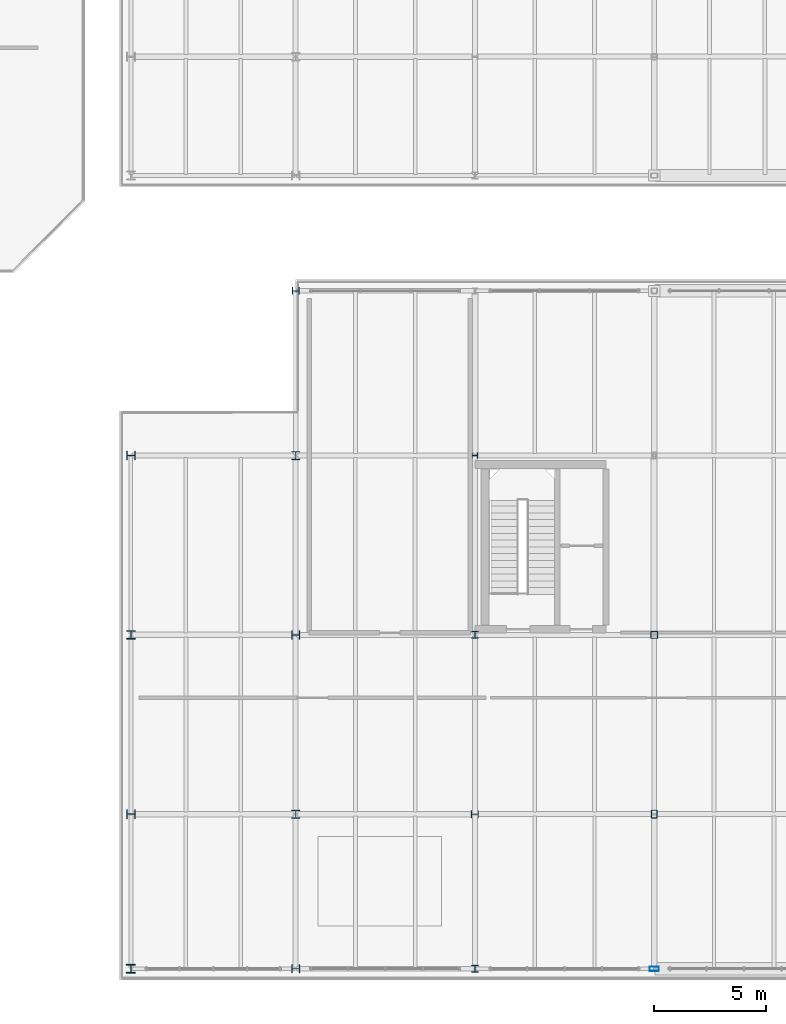
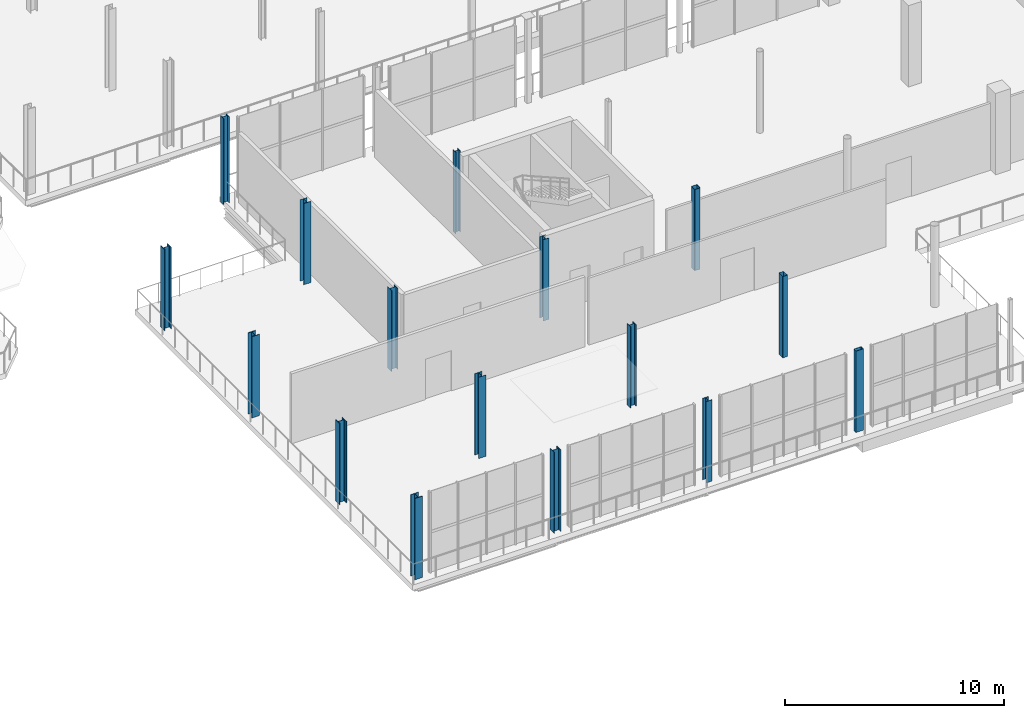
# One storey, part 11 of 93: 16 columns.
"""IFC4 building model written with IfcOpenShell, lengths in metres."""

from ifc_helpers import new_model, si_unit, direction, frame, origin, origin_2d, place, context, subcontext, project, spatial, hollow_rectangle, i_section, extrude, material, material_profile, profile_set, type_object, element, save


model = new_model("IFC4")

# Units and contexts
model_context = context("Model", 3, precision=1e-05, world=origin(), true_north=direction((0.0, 1.0)))
body_context = subcontext(model_context, "Body", "Model", "MODEL_VIEW")
ifc_project = project(units=[si_unit("LENGTHUNIT", "METRE"), si_unit("AREAUNIT", "SQUARE_METRE"), si_unit("VOLUMEUNIT", "CUBIC_METRE"), si_unit("PLANEANGLEUNIT", "RADIAN"), si_unit("MASSUNIT", "GRAM", prefix="KILO")], contexts=[model_context])

# Site, building, storey
site_placement = place(None, origin())
site = spatial("IfcSite", under=ifc_project, at=site_placement, CompositionType="ELEMENT")
building_placement = place(site_placement, origin())
building = spatial("IfcBuilding", under=site, at=building_placement, Name="Brisemont Oceanarium", CompositionType="ELEMENT")
storey_placement = place(building_placement, frame((0.0, 0.0, 5.39990234375)))
storey = spatial("IfcBuildingStorey", under=building, at=storey_placement, Name="L01", CompositionType="ELEMENT", Elevation=5.39990234375)

# Columns
ifc_material_1 = material(Name="Structural Steel ASTM A500 Gr.C", Category="steel")
ifc_material_profile_1 = material_profile(ifc_material_1, hollow_rectangle(XDim=0.304931640625, YDim=0.304931640625, WallThickness=0.01171875, InnerFilletRadius=0.01220703125, OuterFilletRadius=0.02392578125, at=origin_2d()), Name="HSS12X12X1/2")
ifc_profile_set_1 = profile_set([ifc_material_profile_1], Name="Structural Steel ASTM A500 Gr.C")
column_type_1 = type_object("IfcColumnType", Name="COL-HSS12X12", PredefinedType="COLUMN", material=ifc_profile_set_1)
column_1_placement = place(storey_placement, frame((136.0, 16.0, 0.0), z_axis=(0.0, 0.0, 1.0), x_axis=(0.0, 1.0, 0.0)))
element("IfcColumn", 1, at=column_1_placement, inside=storey, type_object=column_type_1, Name="V3 L01 column (3,2)", PredefinedType="COLUMN", context=body_context, shape_type="SweptSolid", body=[
    extrude(hollow_rectangle(XDim=0.304931640625, YDim=0.304931640625, WallThickness=0.01171875, InnerFilletRadius=0.01220703125, OuterFilletRadius=0.02392578125, at=origin_2d()), origin(), (0.0, 0.0, 1.0), 4.5400390625),
])
ifc_material_2 = material(Name="Structural Steel ASTM A500 Gr.C", Category="steel")
ifc_material_profile_2 = material_profile(ifc_material_2, hollow_rectangle(XDim=0.25390625, YDim=0.35595703125, WallThickness=0.01171875, InnerFilletRadius=0.01220703125, OuterFilletRadius=0.02392578125, at=origin_2d()), Name="HSS14X10X1/2")
ifc_profile_set_2 = profile_set([ifc_material_profile_2], Name="Structural Steel ASTM A500 Gr.C")
column_type_2 = type_object("IfcColumnType", Name="COL-HSS14X10", PredefinedType="COLUMN", material=ifc_profile_set_2)
column_2_placement = place(storey_placement, frame((136.0, 8.0, 0.0), z_axis=(0.0, 0.0, 1.0), x_axis=(1.0, 0.0, 0.0)))
element("IfcColumn", 2, at=column_2_placement, inside=storey, type_object=column_type_2, Name="V3 L01 column (3,1)", PredefinedType="COLUMN", context=body_context, shape_type="SweptSolid", body=[
    extrude(hollow_rectangle(XDim=0.25390625, YDim=0.35595703125, WallThickness=0.01171875, InnerFilletRadius=0.01220703125, OuterFilletRadius=0.02392578125, at=origin_2d()), origin(), (0.0, 0.0, 1.0), 4.5400390625),
])
ifc_material_3 = material(Name="Structural Steel ASTM A500 Gr.C", Category="steel")
ifc_material_profile_3 = material_profile(ifc_material_3, hollow_rectangle(XDim=0.202880859375, YDim=0.406005859375, WallThickness=0.01171875, InnerFilletRadius=0.01220703125, OuterFilletRadius=0.02392578125, at=origin_2d()), Name="HSS16X8X1/2")
ifc_profile_set_3 = profile_set([ifc_material_profile_3], Name="Structural Steel ASTM A500 Gr.C")
column_type_3 = type_object("IfcColumnType", Name="COL-HSS16X8", PredefinedType="COLUMN", material=ifc_profile_set_3)
column_3_placement = place(storey_placement, frame((136.0, 1.10009765625, 0.0), z_axis=(0.0, 0.0, 1.0), x_axis=(0.0, 1.0, 0.0)))
element("IfcColumn", 3, at=column_3_placement, inside=storey, type_object=column_type_3, Name="V3 L01 column (3,0)", PredefinedType="COLUMN", context=body_context, shape_type="SweptSolid", body=[
    extrude(hollow_rectangle(XDim=0.202880859375, YDim=0.406005859375, WallThickness=0.01171875, InnerFilletRadius=0.01220703125, OuterFilletRadius=0.02392578125, at=origin_2d()), origin(), (0.0, 0.0, 1.0), 4.5400390625),
])
ifc_material_4 = material(Name="Structural Steel ASTM A992 Gr.50", Category="steel")
ifc_material_profile_4 = material_profile(ifc_material_4, i_section(OverallWidth=0.256103515625, OverallDepth=0.260009765625, WebThickness=0.0107421875, FlangeThickness=0.017333984375, FilletRadius=0.010986328125, at=origin_2d()), Name="W10X60")
ifc_profile_set_4 = profile_set([ifc_material_profile_4], Name="Structural Steel ASTM A992 Gr.50")
column_type_4 = type_object("IfcColumnType", Name="COL-W10X60", PredefinedType="COLUMN", material=ifc_profile_set_4)
column_4_placement = place(storey_placement, frame((128.0, 24.0, 0.0), z_axis=(0.0, 0.0, 1.0), x_axis=(0.0, 1.0, 0.0)))
element("IfcColumn", 4, at=column_4_placement, inside=storey, type_object=column_type_4, Name="V3 L01 column (2,3)", PredefinedType="COLUMN", context=body_context, shape_type="SweptSolid", body=[
    extrude(i_section(OverallWidth=0.256103515625, OverallDepth=0.260009765625, WebThickness=0.0107421875, FlangeThickness=0.017333984375, FilletRadius=0.010986328125, at=origin_2d()), origin(), (0.0, 0.0, 1.0), 4.5400390625),
])
ifc_material_5 = material(Name="Structural Steel ASTM A992 Gr.50", Category="steel")
ifc_material_profile_5 = material_profile(ifc_material_5, i_section(OverallWidth=0.304931640625, OverallDepth=0.306884765625, WebThickness=0.010009765625, FlangeThickness=0.015380859375, FilletRadius=0.012939453125, at=origin_2d()), Name="W12X65")
ifc_profile_set_5 = profile_set([ifc_material_profile_5], Name="Structural Steel ASTM A992 Gr.50")
column_type_5 = type_object("IfcColumnType", Name="COL-W12X65", PredefinedType="COLUMN", material=ifc_profile_set_5)
column_5_placement = place(storey_placement, frame((128.0, 16.0, 0.0), z_axis=(0.0, 0.0, 1.0), x_axis=(1.0, 0.0, 0.0)))
element("IfcColumn", 5, at=column_5_placement, inside=storey, type_object=column_type_5, Name="V3 L01 column (2,2)", PredefinedType="COLUMN", context=body_context, shape_type="SweptSolid", body=[
    extrude(i_section(OverallWidth=0.304931640625, OverallDepth=0.306884765625, WebThickness=0.010009765625, FlangeThickness=0.015380859375, FilletRadius=0.012939453125, at=origin_2d()), origin(), (0.0, 0.0, 1.0), 4.5400390625),
])
ifc_material_6 = material(Name="Structural Steel ASTM A992 Gr.50", Category="steel")
ifc_material_profile_6 = material_profile(ifc_material_6, i_section(OverallWidth=0.305908203125, OverallDepth=0.31103515625, WebThickness=0.010986328125, FlangeThickness=0.01708984375, FilletRadius=0.012939453125, at=origin_2d()), Name="W12X72")
ifc_profile_set_6 = profile_set([ifc_material_profile_6], Name="Structural Steel ASTM A992 Gr.50")
column_type_6 = type_object("IfcColumnType", Name="COL-W12X72", PredefinedType="COLUMN", material=ifc_profile_set_6)
column_6_placement = place(storey_placement, frame((128.0, 8.0, 0.0), z_axis=(0.0, 0.0, 1.0), x_axis=(0.0, 1.0, 0.0)))
element("IfcColumn", 6, at=column_6_placement, inside=storey, type_object=column_type_6, Name="V3 L01 column (2,1)", PredefinedType="COLUMN", context=body_context, shape_type="SweptSolid", body=[
    extrude(i_section(OverallWidth=0.305908203125, OverallDepth=0.31103515625, WebThickness=0.010986328125, FlangeThickness=0.01708984375, FilletRadius=0.012939453125, at=origin_2d()), origin(), (0.0, 0.0, 1.0), 4.5400390625),
])
ifc_material_7 = material(Name="Structural Steel ASTM A992 Gr.50", Category="steel")
ifc_material_profile_7 = material_profile(ifc_material_7, i_section(OverallWidth=0.306884765625, OverallDepth=0.31494140625, WebThickness=0.011962890625, FlangeThickness=0.018798828125, FilletRadius=0.012939453125, at=origin_2d()), Name="W12X79")
ifc_profile_set_7 = profile_set([ifc_material_profile_7], Name="Structural Steel ASTM A992 Gr.50")
column_type_7 = type_object("IfcColumnType", Name="COL-W12X79", PredefinedType="COLUMN", material=ifc_profile_set_7)
column_7_placement = place(storey_placement, frame((128.0, 1.10009765625, 0.0), z_axis=(0.0, 0.0, 1.0), x_axis=(1.0, 0.0, 0.0)))
element("IfcColumn", 7, at=column_7_placement, inside=storey, type_object=column_type_7, Name="V3 L01 column (2,0)", PredefinedType="COLUMN", context=body_context, shape_type="SweptSolid", body=[
    extrude(i_section(OverallWidth=0.306884765625, OverallDepth=0.31494140625, WebThickness=0.011962890625, FlangeThickness=0.018798828125, FilletRadius=0.012939453125, at=origin_2d()), origin(), (0.0, 0.0, 1.0), 4.5400390625),
])
ifc_material_8 = material(Name="Structural Steel ASTM A992 Gr.50", Category="steel")
ifc_material_profile_8 = material_profile(ifc_material_8, i_section(OverallWidth=0.30810546875, OverallDepth=0.318115234375, WebThickness=0.01318359375, FlangeThickness=0.0205078125, FilletRadius=0.012939453125, at=origin_2d()), Name="W12X87")
ifc_profile_set_8 = profile_set([ifc_material_profile_8], Name="Structural Steel ASTM A992 Gr.50")
column_type_8 = type_object("IfcColumnType", Name="COL-W12X87", PredefinedType="COLUMN", material=ifc_profile_set_8)
column_8_placement = place(storey_placement, frame((120.0, 31.35009765625, 0.0), z_axis=(0.0, 0.0, 1.0), x_axis=(0.0, 1.0, 0.0)))
element("IfcColumn", 8, at=column_8_placement, inside=storey, type_object=column_type_8, Name="V3 L01 column (1,4)", PredefinedType="COLUMN", context=body_context, shape_type="SweptSolid", body=[
    extrude(i_section(OverallWidth=0.30810546875, OverallDepth=0.318115234375, WebThickness=0.01318359375, FlangeThickness=0.0205078125, FilletRadius=0.012939453125, at=origin_2d()), origin(), (0.0, 0.0, 1.0), 4.800048828125),
])
ifc_material_9 = material(Name="Structural Steel ASTM A992 Gr.50", Category="steel")
ifc_material_profile_9 = material_profile(ifc_material_9, i_section(OverallWidth=0.37109375, OverallDepth=0.364013671875, WebThickness=0.01318359375, FlangeThickness=0.021728515625, FilletRadius=0.014892578125, at=origin_2d()), Name="W14X109")
ifc_profile_set_9 = profile_set([ifc_material_profile_9], Name="Structural Steel ASTM A992 Gr.50")
column_type_9 = type_object("IfcColumnType", Name="COL-W14X109", PredefinedType="COLUMN", material=ifc_profile_set_9)
column_9_placement = place(storey_placement, frame((120.0, 8.0, 0.0), z_axis=(0.0, 0.0, 1.0), x_axis=(1.0, 0.0, 0.0)))
element("IfcColumn", 9, at=column_9_placement, inside=storey, type_object=column_type_9, Name="V3 L01 column (1,1)", PredefinedType="COLUMN", context=body_context, shape_type="SweptSolid", body=[
    extrude(i_section(OverallWidth=0.37109375, OverallDepth=0.364013671875, WebThickness=0.01318359375, FlangeThickness=0.021728515625, FilletRadius=0.014892578125, at=origin_2d()), origin(), (0.0, 0.0, 1.0), 4.5400390625),
])
ifc_material_10 = material(Name="Structural Steel ASTM A992 Gr.50", Category="steel")
ifc_material_profile_10 = material_profile(ifc_material_10, i_section(OverallWidth=0.373046875, OverallDepth=0.367919921875, WebThickness=0.014892578125, FlangeThickness=0.02392578125, FilletRadius=0.014892578125, at=origin_2d()), Name="W14X120")
ifc_profile_set_10 = profile_set([ifc_material_profile_10], Name="Structural Steel ASTM A992 Gr.50")
column_type_10 = type_object("IfcColumnType", Name="COL-W14X120", PredefinedType="COLUMN", material=ifc_profile_set_10)
column_10_placement = place(storey_placement, frame((120.0, 1.10009765625, 0.0), z_axis=(0.0, 0.0, 1.0), x_axis=(0.0, 1.0, 0.0)))
element("IfcColumn", 10, at=column_10_placement, inside=storey, type_object=column_type_10, Name="V3 L01 column (1,0)", PredefinedType="COLUMN", context=body_context, shape_type="SweptSolid", body=[
    extrude(i_section(OverallWidth=0.373046875, OverallDepth=0.367919921875, WebThickness=0.014892578125, FlangeThickness=0.02392578125, FilletRadius=0.014892578125, at=origin_2d()), origin(), (0.0, 0.0, 1.0), 4.5400390625),
])
ifc_material_11 = material(Name="Structural Steel ASTM A992 Gr.50", Category="steel")
ifc_material_profile_11 = material_profile(ifc_material_11, i_section(OverallWidth=0.3740234375, OverallDepth=0.3720703125, WebThickness=0.016357421875, FlangeThickness=0.026123046875, FilletRadius=0.014892578125, at=origin_2d()), Name="W14X132")
ifc_profile_set_11 = profile_set([ifc_material_profile_11], Name="Structural Steel ASTM A992 Gr.50")
column_type_11 = type_object("IfcColumnType", Name="COL-W14X132", PredefinedType="COLUMN", material=ifc_profile_set_11)
column_11_placement = place(storey_placement, frame((112.64990234375, 24.0, 0.0), z_axis=(0.0, 0.0, 1.0), x_axis=(0.0, 1.0, 0.0)))
element("IfcColumn", 11, at=column_11_placement, inside=storey, type_object=column_type_11, Name="V3 L01 column (0,3)", PredefinedType="COLUMN", context=body_context, shape_type="SweptSolid", body=[
    extrude(i_section(OverallWidth=0.3740234375, OverallDepth=0.3720703125, WebThickness=0.016357421875, FlangeThickness=0.026123046875, FilletRadius=0.014892578125, at=origin_2d()), origin(), (0.0, 0.0, 1.0), 4.5400390625),
])
ifc_material_12 = material(Name="Structural Steel ASTM A992 Gr.50", Category="steel")
ifc_material_profile_12 = material_profile(ifc_material_12, i_section(OverallWidth=0.39404296875, OverallDepth=0.3759765625, WebThickness=0.017333984375, FlangeThickness=0.027587890625, FilletRadius=0.014892578125, at=origin_2d()), Name="W14X145")
ifc_profile_set_12 = profile_set([ifc_material_profile_12], Name="Structural Steel ASTM A992 Gr.50")
column_type_12 = type_object("IfcColumnType", Name="COL-W14X145", PredefinedType="COLUMN", material=ifc_profile_set_12)
column_12_placement = place(storey_placement, frame((112.64990234375, 16.0, 0.0), z_axis=(0.0, 0.0, 1.0), x_axis=(1.0, 0.0, 0.0)))
element("IfcColumn", 12, at=column_12_placement, inside=storey, type_object=column_type_12, Name="V3 L01 column (0,2)", PredefinedType="COLUMN", context=body_context, shape_type="SweptSolid", body=[
    extrude(i_section(OverallWidth=0.39404296875, OverallDepth=0.3759765625, WebThickness=0.017333984375, FlangeThickness=0.027587890625, FilletRadius=0.014892578125, at=origin_2d()), origin(), (0.0, 0.0, 1.0), 4.5400390625),
])
ifc_material_13 = material(Name="Structural Steel ASTM A992 Gr.50", Category="steel")
ifc_material_profile_13 = material_profile(ifc_material_13, i_section(OverallWidth=0.39501953125, OverallDepth=0.3798828125, WebThickness=0.018798828125, FlangeThickness=0.0302734375, FilletRadius=0.014892578125, at=origin_2d()), Name="W14X159")
ifc_profile_set_13 = profile_set([ifc_material_profile_13], Name="Structural Steel ASTM A992 Gr.50")
column_type_13 = type_object("IfcColumnType", Name="COL-W14X159", PredefinedType="COLUMN", material=ifc_profile_set_13)
column_13_placement = place(storey_placement, frame((112.64990234375, 8.0, 0.0), z_axis=(0.0, 0.0, 1.0), x_axis=(0.0, 1.0, 0.0)))
element("IfcColumn", 13, at=column_13_placement, inside=storey, type_object=column_type_13, Name="V3 L01 column (0,1)", PredefinedType="COLUMN", context=body_context, shape_type="SweptSolid", body=[
    extrude(i_section(OverallWidth=0.39501953125, OverallDepth=0.3798828125, WebThickness=0.018798828125, FlangeThickness=0.0302734375, FilletRadius=0.014892578125, at=origin_2d()), origin(), (0.0, 0.0, 1.0), 4.5400390625),
])
ifc_material_14 = material(Name="Structural Steel ASTM A992 Gr.50", Category="steel")
ifc_material_profile_14 = material_profile(ifc_material_14, i_section(OverallWidth=0.39892578125, OverallDepth=0.385986328125, WebThickness=0.02099609375, FlangeThickness=0.033203125, FilletRadius=0.014892578125, at=origin_2d()), Name="W14X176")
ifc_profile_set_14 = profile_set([ifc_material_profile_14], Name="Structural Steel ASTM A992 Gr.50")
column_type_14 = type_object("IfcColumnType", Name="COL-W14X176", PredefinedType="COLUMN", material=ifc_profile_set_14)
column_14_placement = place(storey_placement, frame((112.64990234375, 1.10009765625, 0.0), z_axis=(0.0, 0.0, 1.0), x_axis=(1.0, 0.0, 0.0)))
element("IfcColumn", 14, at=column_14_placement, inside=storey, type_object=column_type_14, Name="V3 L01 column (0,0)", PredefinedType="COLUMN", context=body_context, shape_type="SweptSolid", body=[
    extrude(i_section(OverallWidth=0.39892578125, OverallDepth=0.385986328125, WebThickness=0.02099609375, FlangeThickness=0.033203125, FilletRadius=0.014892578125, at=origin_2d()), origin(), (0.0, 0.0, 1.0), 4.5400390625),
])
ifc_material_15 = material(Name="Structural Steel ASTM A992 Gr.50", Category="steel")
ifc_material_profile_15 = material_profile(ifc_material_15, i_section(OverallWidth=0.367919921875, OverallDepth=0.35595703125, WebThickness=0.01123046875, FlangeThickness=0.01806640625, FilletRadius=0.014892578125, at=origin_2d()), Name="W14X90")
ifc_profile_set_15 = profile_set([ifc_material_profile_15], Name="Structural Steel ASTM A992 Gr.50")
column_type_15 = type_object("IfcColumnType", Name="COL-W14X90", PredefinedType="COLUMN", material=ifc_profile_set_15)
column_15_placement = place(storey_placement, frame((120.0, 24.0, 0.0), z_axis=(0.0, 0.0, 1.0), x_axis=(1.0, 0.0, 0.0)))
element("IfcColumn", 15, at=column_15_placement, inside=storey, type_object=column_type_15, Name="V3 L01 column (1,3)", PredefinedType="COLUMN", context=body_context, shape_type="SweptSolid", body=[
    extrude(i_section(OverallWidth=0.367919921875, OverallDepth=0.35595703125, WebThickness=0.01123046875, FlangeThickness=0.01806640625, FilletRadius=0.014892578125, at=origin_2d()), origin(), (0.0, 0.0, 1.0), 4.5400390625),
])
ifc_material_16 = material(Name="Structural Steel ASTM A992 Gr.50", Category="steel")
ifc_material_profile_16 = material_profile(ifc_material_16, i_section(OverallWidth=0.37109375, OverallDepth=0.361083984375, WebThickness=0.01220703125, FlangeThickness=0.019775390625, FilletRadius=0.014892578125, at=origin_2d()), Name="W14X99")
ifc_profile_set_16 = profile_set([ifc_material_profile_16], Name="Structural Steel ASTM A992 Gr.50")
column_type_16 = type_object("IfcColumnType", Name="COL-W14X99", PredefinedType="COLUMN", material=ifc_profile_set_16)
column_16_placement = place(storey_placement, frame((120.0, 16.0, 0.0), z_axis=(0.0, 0.0, 1.0), x_axis=(0.0, 1.0, 0.0)))
element("IfcColumn", 16, at=column_16_placement, inside=storey, type_object=column_type_16, Name="V3 L01 column (1,2)", PredefinedType="COLUMN", context=body_context, shape_type="SweptSolid", body=[
    extrude(i_section(OverallWidth=0.37109375, OverallDepth=0.361083984375, WebThickness=0.01220703125, FlangeThickness=0.019775390625, FilletRadius=0.014892578125, at=origin_2d()), origin(), (0.0, 0.0, 1.0), 4.5400390625),
])

save(model, "model.ifc")
